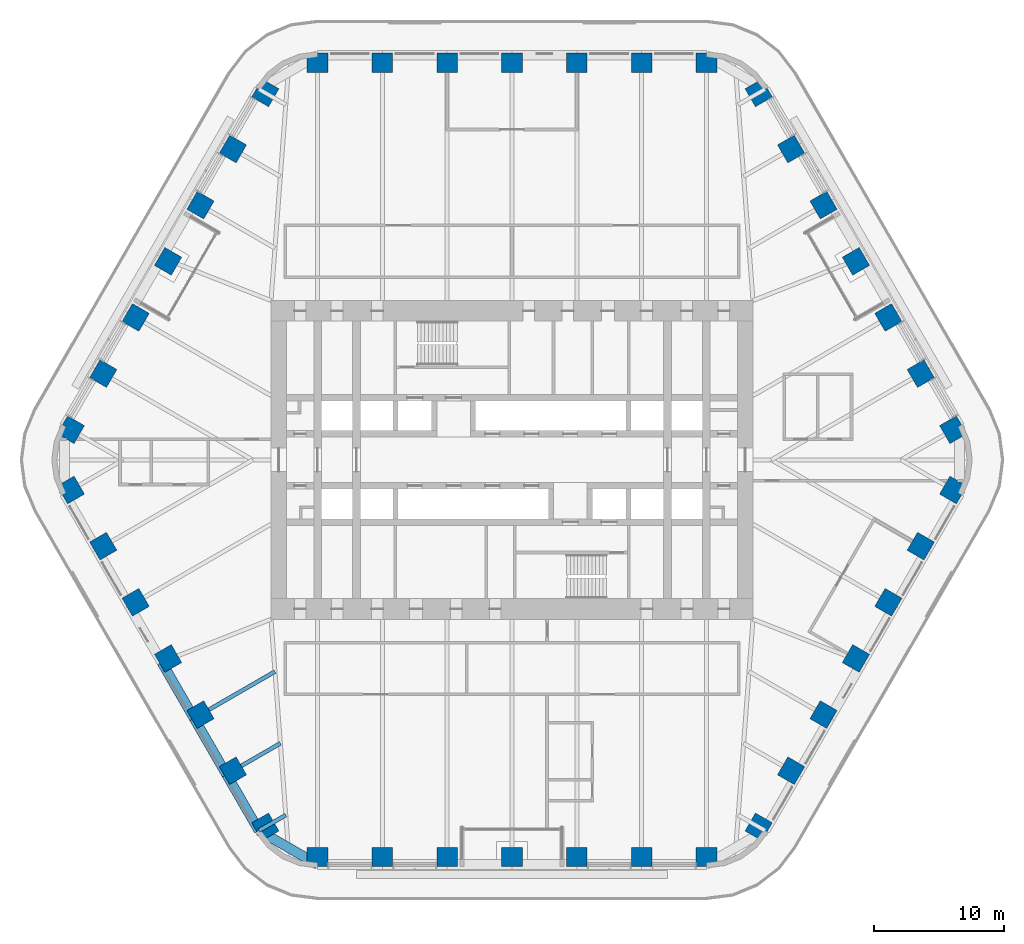
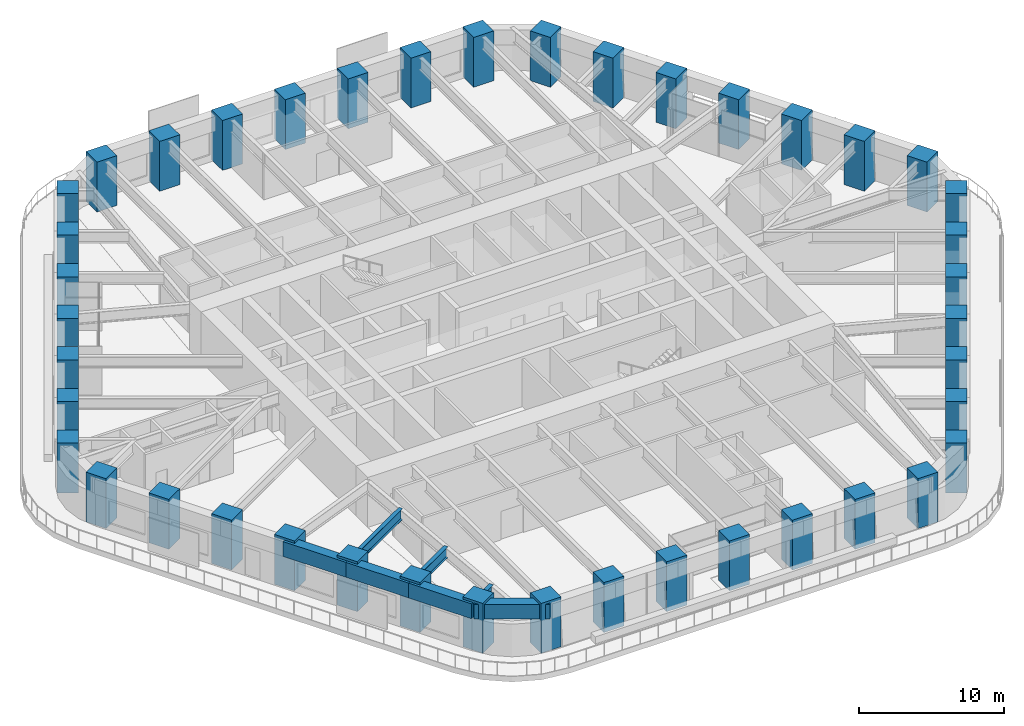
# One storey, part 1 of 24: 42 columns, 7 beams.
"""IFC4 building model written with IfcOpenShell, lengths in metres."""

import ifcopenshell
import ifcopenshell.guid

model = None  # the IFC model being written
_history = None  # IfcOwnerHistory: only IFC2X3 demands one
_inside = {}  # id of a spatial element -> (the spatial element, [elements in it])
_under = {}  # id of a project, library or spatial element -> (it, [spatial elements below it])
_declared = {}  # id of a project -> (the project, [libraries it declares])
_typed = {}  # id of a type object -> (the type object, [elements of that type])
_made_of = {}  # id of a material, layer set ... -> (it, [elements and type objects made of it])


def new_model(schema):
    """Start an empty IFC model of exactly this schema.

    Asked for "IFC4X3", IfcOpenShell would pick the latest addendum, in which some entities
    have other attributes; the version numbers below select the first issue.
    IFC2X3 requires an IfcOwnerHistory on every rooted entity: one is made here for all.
    """
    global model, _history
    if schema == "IFC4X3":
        model = ifcopenshell.file(schema_version=(4, 3, 0, 0))
    else:
        model = ifcopenshell.file(schema=schema)
    _inside.clear()
    _under.clear()
    _declared.clear()
    _typed.clear()
    _made_of.clear()
    _history = None
    if model.schema == "IFC2X3":
        org = make("IfcOrganization", Name="unknown")
        user = make(
            "IfcPersonAndOrganization",
            ThePerson=make("IfcPerson", FamilyName="unknown"),
            TheOrganization=org,
        )
        app = make(
            "IfcApplication",
            ApplicationDeveloper=org,
            Version="unknown",
            ApplicationFullName="unknown",
            ApplicationIdentifier="unknown",
        )
        _history = make(
            "IfcOwnerHistory",
            OwningUser=user,
            OwningApplication=app,
            ChangeAction="ADDED",
            CreationDate=0,
        )
    return model


def make(cls, **values):
    """One entity of the class cls with the attributes given. An attribute that is None is left unset."""
    return model.create_entity(
        cls, **{name: value for name, value in values.items() if value is not None}
    )


def rooted(cls, **values):
    """An entity with a GlobalId (a new one), such as an element, a storey or a relation."""
    return make(cls, GlobalId=ifcopenshell.guid.new(), OwnerHistory=_history, **values)


def si_unit(unit_type, name, prefix=None):
    """IfcSIUnit, for example si_unit("LENGTHUNIT", "METRE", prefix="MILLI")."""
    return make("IfcSIUnit", UnitType=unit_type, Prefix=prefix, Name=name)


def assignment(units):
    """IfcUnitAssignment: the units of a project."""
    return None if units is None else make("IfcUnitAssignment", Units=units)


def point(xyz):
    """IfcCartesianPoint."""
    return None if xyz is None else make("IfcCartesianPoint", Coordinates=xyz)


def direction(xyz):
    """IfcDirection."""
    return None if xyz is None else make("IfcDirection", DirectionRatios=xyz)


def frame(location, z_axis=None, x_axis=None):
    """IfcAxis2Placement3D, a coordinate frame: its origin and axes. An axis left out is left unset."""
    return make(
        "IfcAxis2Placement3D",
        Location=point(location),
        Axis=direction(z_axis),
        RefDirection=direction(x_axis),
    )


def frame_2d(location, x_axis=None):
    """IfcAxis2Placement2D, a coordinate frame in the plane: its origin and x axis."""
    return make(
        "IfcAxis2Placement2D", Location=point(location), RefDirection=direction(x_axis)
    )


def origin():
    """The frame at (0, 0, 0) with its axes left unset."""
    return frame((0.0, 0.0, 0.0))


def origin_2d():
    """The frame at (0, 0) in the plane with its x axis left unset."""
    return frame_2d((0.0, 0.0))


def place(relative_to, where):
    """IfcLocalPlacement: puts the frame where relative to a parent placement (None: the world)."""
    return make(
        "IfcLocalPlacement", PlacementRelTo=relative_to, RelativePlacement=where
    )


def context(
    kind, dimensions, precision=None, world=None, true_north=None, identifier=None
):
    """IfcGeometricRepresentationContext, for example the 3D "Model" context."""
    return make(
        "IfcGeometricRepresentationContext",
        ContextIdentifier=identifier,
        ContextType=kind,
        CoordinateSpaceDimension=dimensions,
        Precision=precision,
        WorldCoordinateSystem=world,
        TrueNorth=true_north,
    )


def subcontext(parent, identifier, kind, view, scale=None):
    """IfcGeometricRepresentationSubContext, for example "Body" below "Model"."""
    return make(
        "IfcGeometricRepresentationSubContext",
        ContextIdentifier=identifier,
        ContextType=kind,
        ParentContext=parent,
        TargetScale=scale,
        TargetView=view,
    )


def project(units=None, contexts=None):
    """IfcProject with its units and contexts."""
    return rooted(
        "IfcProject",
        Name="project",
        RepresentationContexts=contexts,
        UnitsInContext=assignment(units),
    )


def spatial(cls, under=None, at=None, **own):
    """A site, building, storey or space (cls), placed at a placement, below another one or the project."""
    s = rooted(cls, ObjectPlacement=at, **own)
    if under is not None:
        _under.setdefault(under.id(), (under, []))[1].append(s)
    return s


def profile(cls, at=None, kind="AREA", **sizes):
    """A parametric profile (cls). Its sizes go by their IFC names, for example OverallWidth=200.0."""
    return make(cls, ProfileType=kind, Position=at, **sizes)


def rectangle(**sizes):
    """IfcRectangleProfileDef."""
    return profile("IfcRectangleProfileDef", **sizes)


def i_section(**sizes):
    """IfcIShapeProfileDef."""
    return profile("IfcIShapeProfileDef", **sizes)


def extrude(swept, where, along, depth):
    """IfcExtrudedAreaSolid: the profile swept, set in the frame where, extruded along a direction by depth."""
    return make(
        "IfcExtrudedAreaSolid",
        SweptArea=swept,
        Position=where,
        ExtrudedDirection=direction(along),
        Depth=depth,
    )


def shape(context_of_items, identifier, shape_type, items):
    """IfcShapeRepresentation: the items that make up one representation, for example the "Body"."""
    return make(
        "IfcShapeRepresentation",
        ContextOfItems=context_of_items,
        RepresentationIdentifier=identifier,
        RepresentationType=shape_type,
        Items=items,
    )


def material(Name=None, Category=None):
    """IfcMaterial."""
    return make("IfcMaterial", Name=Name, Category=Category)


def material_profile(
    of_material, cross_section, Name=None, Category=None, Priority=None
):
    """IfcMaterialProfile: a cross section and its material."""
    return make(
        "IfcMaterialProfile",
        Name=Name,
        Material=of_material,
        Profile=cross_section,
        Priority=Priority,
        Category=Category,
    )


def profile_set(profiles, Name=None, composite=None):
    """IfcMaterialProfileSet."""
    return make(
        "IfcMaterialProfileSet",
        Name=Name,
        MaterialProfiles=profiles,
        CompositeProfile=composite,
    )


def made_of(thing, what):
    """Note that an element or type object is made of a material, layer set ...; save() writes the relation."""
    if what is not None:
        _made_of.setdefault(what.id(), (what, []))[1].append(thing)
    return thing


def type_object(cls, material=None, **own):
    """A type object (cls), such as IfcWallType, which elements share."""
    return made_of(rooted(cls, **own), material)


def element(
    cls,
    number,
    at=None,
    inside=None,
    cuts=None,
    type_object=None,
    material=None,
    context=None,
    identifier="Body",
    shape_type=None,
    held_by="IfcProductDefinitionShape",
    body=None,
    shapes=None,
    **own,
):
    """One element of the class cls, such as IfcWall. Its Tag is "e" and its number.

    at: its placement. inside: the storey or other place that contains it. cuts: it is an
    opening in that element (IfcRelVoidsElement). A single representation is given by context,
    identifier, shape_type and body (its items); several are given by shapes. held_by: the class
    of the entity that holds the representations. save() writes the other relations.
    """
    e = rooted(cls, Tag="e%d" % number, ObjectPlacement=at, **own)
    if body is not None:
        shapes = [shape(context, identifier, shape_type, body)]
    if shapes is not None:
        e.Representation = make(held_by, Representations=shapes)
    if inside is not None:
        _inside.setdefault(inside.id(), (inside, []))[1].append(e)
    if cuts is not None:
        rooted(
            "IfcRelVoidsElement", RelatingBuildingElement=cuts, RelatedOpeningElement=e
        )
    if type_object is not None:
        _typed.setdefault(type_object.id(), (type_object, []))[1].append(e)
    return made_of(e, material)


def aggregate(whole, parts):
    """IfcRelAggregates: a whole, such as a stair, and the parts it consists of."""
    return rooted("IfcRelAggregates", RelatingObject=whole, RelatedObjects=parts)


def save(model, path):
    """Write the relations noted so far, then the file.

    IfcRelAggregates (storeys below a building ...), IfcRelContainedInSpatialStructure (elements
    in a storey), IfcRelDefinesByType, IfcRelAssociatesMaterial and IfcRelDeclares: one each for
    every whole, place, type object, material and project.
    """
    for whole, parts in _under.values():
        aggregate(whole, parts)
    for where, things in _inside.values():
        rooted(
            "IfcRelContainedInSpatialStructure",
            RelatedElements=things,
            RelatingStructure=where,
        )
    for kind, things in _typed.values():
        rooted("IfcRelDefinesByType", RelatedObjects=things, RelatingType=kind)
    for what, things in _made_of.values():
        rooted("IfcRelAssociatesMaterial", RelatedObjects=things, RelatingMaterial=what)
    for by, libraries in _declared.values():
        rooted("IfcRelDeclares", RelatingContext=by, RelatedDefinitions=libraries)
    model.write(path)


model = new_model("IFC4")

# Units and contexts
model_context = context("Model", 3, precision=1e-05, world=origin(), true_north=direction((0.0, 1.0)))
body_context = subcontext(model_context, "Body", "Model", "MODEL_VIEW")
ifc_project = project(units=[si_unit("LENGTHUNIT", "METRE"), si_unit("AREAUNIT", "SQUARE_METRE"), si_unit("VOLUMEUNIT", "CUBIC_METRE"), si_unit("PLANEANGLEUNIT", "RADIAN"), si_unit("MASSUNIT", "GRAM", prefix="KILO")], contexts=[model_context])

# Site, building, storey
site_placement = place(None, origin())
site = spatial("IfcSite", under=ifc_project, at=site_placement, CompositionType="ELEMENT")
building_placement = place(site_placement, origin())
building = spatial("IfcBuilding", under=site, at=building_placement, Name="Tarfa Lantern Tower", CompositionType="ELEMENT")
storey_placement = place(building_placement, frame((0.0, 0.0, 148.89990234375)))
storey = spatial("IfcBuildingStorey", under=building, at=storey_placement, Name="L33", CompositionType="ELEMENT", Elevation=148.89990234375)

# Columns
ifc_material_1 = material(Name="Concrete C80/95", Category="concrete")
ifc_material_profile_1 = material_profile(ifc_material_1, rectangle(XDim=1.60009765625, YDim=1.5, at=origin_2d()), Name="RC 1600x1500")
ifc_profile_set_1 = profile_set([ifc_material_profile_1], Name="Concrete C80/95")
column_type = type_object("IfcColumnType", Name="TC6 RC 1600x1500", PredefinedType="COLUMN", material=ifc_profile_set_1)
for number, where, z_axis, x_axis, name in (
    (1, (34.04931640625, 2.324951171875, 0.0), (0.0, 0.0, 1.0), (-0.5, 0.866025403784, 0.0), "Tube column NE0"),
    (2, (31.54736328125, 6.658447265625, 0.0), (0.0, 0.0, 1.0), (-0.5, 0.866025403784, 0.0), "Tube column NE1"),
    (3, (29.04541015625, 10.99169921875, 0.0), (0.0, 0.0, 1.0), (-0.5, 0.866025403784, 0.0), "Tube column NE2"),
    (4, (26.543701171875, 15.324951171875, 0.0), (0.0, 0.0, 1.0), (-0.5, 0.866025403784, 0.0), "Tube column NE3"),
    (5, (24.041748046875, 19.658447265625, 0.0), (0.0, 0.0, 1.0), (-0.5, 0.866025403784, 0.0), "Tube column NE4"),
    (6, (21.5400390625, 23.99169921875, 0.0), (0.0, 0.0, 1.0), (-0.5, 0.866025403784, 0.0), "Tube column NE5"),
    (7, (19.0380859375, 28.324951171875, 0.0), (0.0, 0.0, 1.0), (-0.5, 0.866025403784, 0.0), "Tube column NE6"),
    (8, (15.010986328125, 30.64990234375, 0.0), (0.0, 0.0, 1.0), (-1.0, 0.0, 0.0), "Tube column N0"),
    (9, (10.00732421875, 30.64990234375, 0.0), (0.0, 0.0, 1.0), (-1.0, 0.0, 0.0), "Tube column N1"),
    (10, (5.003662109375, 30.64990234375, 0.0), (0.0, 0.0, 1.0), (-1.0, 0.0, 0.0), "Tube column N2"),
    (11, (0.0, 30.64990234375, 0.0), (0.0, 0.0, 1.0), (-1.0, 0.0, 0.0), "Tube column N3"),
    (12, (-5.003662109375, 30.64990234375, 0.0), (0.0, 0.0, 1.0), (-1.0, 0.0, 0.0), "Tube column N4"),
    (13, (-10.00732421875, 30.64990234375, 0.0), (0.0, 0.0, 1.0), (-1.0, 0.0, 0.0), "Tube column N5"),
    (14, (-15.010986328125, 30.64990234375, 0.0), (0.0, 0.0, 1.0), (-1.0, 0.0, 0.0), "Tube column N6"),
    (15, (-19.0380859375, 28.324951171875, 0.0), (0.0, 0.0, 1.0), (-0.5, -0.866025403784, 0.0), "Tube column NW0"),
    (16, (-21.5400390625, 23.99169921875, 0.0), (0.0, 0.0, 1.0), (-0.5, -0.866025403784, 0.0), "Tube column NW1"),
    (17, (-24.041748046875, 19.658447265625, 0.0), (0.0, 0.0, 1.0), (-0.5, -0.866025403784, 0.0), "Tube column NW2"),
    (18, (-26.543701171875, 15.324951171875, 0.0), (0.0, 0.0, 1.0), (-0.5, -0.866025403784, 0.0), "Tube column NW3"),
    (19, (-29.04541015625, 10.99169921875, 0.0), (0.0, 0.0, 1.0), (-0.5, -0.866025403784, 0.0), "Tube column NW4"),
    (20, (-31.54736328125, 6.658447265625, 0.0), (0.0, 0.0, 1.0), (-0.5, -0.866025403784, 0.0), "Tube column NW5"),
    (21, (-34.04931640625, 2.324951171875, 0.0), (0.0, 0.0, 1.0), (-0.5, -0.866025403784, 0.0), "Tube column NW6"),
    (22, (-34.04931640625, -2.324951171875, 0.0), (0.0, 0.0, 1.0), (0.5, -0.866025403784, 0.0), "Tube column SW0"),
    (23, (-31.54736328125, -6.658447265625, 0.0), (0.0, 0.0, 1.0), (0.5, -0.866025403784, 0.0), "Tube column SW1"),
    (24, (-29.04541015625, -10.99169921875, 0.0), (0.0, 0.0, 1.0), (0.5, -0.866025403784, 0.0), "Tube column SW2"),
    (25, (-26.543701171875, -15.324951171875, 0.0), (0.0, 0.0, 1.0), (0.5, -0.866025403784, 0.0), "Tube column SW3"),
    (26, (-24.041748046875, -19.658447265625, 0.0), (0.0, 0.0, 1.0), (0.5, -0.866025403784, 0.0), "Tube column SW4"),
    (27, (-21.5400390625, -23.99169921875, 0.0), (0.0, 0.0, 1.0), (0.5, -0.866025403784, 0.0), "Tube column SW5"),
    (28, (-19.0380859375, -28.324951171875, 0.0), (0.0, 0.0, 1.0), (0.5, -0.866025403784, 0.0), "Tube column SW6"),
    (29, (-15.010986328125, -30.64990234375, 0.0), (0.0, 0.0, 1.0), (1.0, 0.0, 0.0), "Tube column S0"),
    (30, (-10.00732421875, -30.64990234375, 0.0), (0.0, 0.0, 1.0), (1.0, 0.0, 0.0), "Tube column S1"),
    (31, (-5.003662109375, -30.64990234375, 0.0), (0.0, 0.0, 1.0), (1.0, 0.0, 0.0), "Tube column S2"),
    (32, (0.0, -30.64990234375, 0.0), (0.0, 0.0, 1.0), (1.0, 0.0, 0.0), "Tube column S3"),
    (33, (5.003662109375, -30.64990234375, 0.0), (0.0, 0.0, 1.0), (1.0, 0.0, 0.0), "Tube column S4"),
    (34, (10.00732421875, -30.64990234375, 0.0), (0.0, 0.0, 1.0), (1.0, 0.0, 0.0), "Tube column S5"),
    (35, (15.010986328125, -30.64990234375, 0.0), (0.0, 0.0, 1.0), (1.0, 0.0, 0.0), "Tube column S6"),
    (36, (19.0380859375, -28.324951171875, 0.0), (0.0, 0.0, 1.0), (0.5, 0.866025403784, 0.0), "Tube column SE0"),
    (37, (21.5400390625, -23.99169921875, 0.0), (0.0, 0.0, 1.0), (0.5, 0.866025403784, 0.0), "Tube column SE1"),
    (38, (24.041748046875, -19.658447265625, 0.0), (0.0, 0.0, 1.0), (0.5, 0.866025403784, 0.0), "Tube column SE2"),
    (39, (26.543701171875, -15.324951171875, 0.0), (0.0, 0.0, 1.0), (0.5, 0.866025403784, 0.0), "Tube column SE3"),
    (40, (29.04541015625, -10.99169921875, 0.0), (0.0, 0.0, 1.0), (0.5, 0.866025403784, 0.0), "Tube column SE4"),
    (41, (31.54736328125, -6.658447265625, 0.0), (0.0, 0.0, 1.0), (0.5, 0.866025403784, 0.0), "Tube column SE5"),
    (42, (34.04931640625, -2.324951171875, 0.0), (0.0, 0.0, 1.0), (0.5, 0.866025403784, 0.0), "Tube column SE6"),
):
    element("IfcColumn", number, at=place(storey_placement, frame(where, z_axis=z_axis, x_axis=x_axis)), inside=storey, type_object=column_type, Name=name, PredefinedType="COLUMN", context=body_context, shape_type="SweptSolid", body=[
        extrude(rectangle(XDim=1.60009765625, YDim=1.5, at=origin_2d()), origin(), (0.0, 0.0, 1.0), 4.2001953125),
    ])

# Beams
ifc_material_profile_2 = material_profile(ifc_material_1, rectangle(XDim=0.75, YDim=1.25, at=origin_2d()), Name="RC 750x1250")
ifc_profile_set_2 = profile_set([ifc_material_profile_2], Name="Concrete C80/95")
beam_type_1 = type_object("IfcBeamType", Name="EB2 RC 750x1250", PredefinedType="SPANDREL", material=ifc_profile_set_2)
for number, where, z_axis, x_axis, name in (
    (43, (-27.037353515625, -15.610107421875, 3.375), (0.500022324899, -0.866012514114, 0.0), (0.866012514114, 0.500022324899, 0.0), "Edge beam SW3"),
    (44, (-24.535400390625, -19.943359375, 3.375), (0.49998573051, -0.866033642122, 0.0), (0.866033642122, 0.49998573051, 0.0), "Edge beam SW4"),
):
    element("IfcBeam", number, at=place(storey_placement, frame(where, z_axis=z_axis, x_axis=x_axis)), inside=storey, type_object=beam_type_1, Name=name, PredefinedType="SPANDREL", context=body_context, shape_type="SweptSolid", body=[
        extrude(rectangle(XDim=0.75, YDim=1.25, at=origin_2d()), origin(), (0.0, 0.0, 1.0), 5.003662109375),
    ])
beam_1_placement = place(storey_placement, frame((-22.03369140625, -24.276611328125, 3.375), z_axis=(0.500001197378, -0.866024712477, 0.0), x_axis=(0.866024712477, 0.500001197378, 0.0)))
element("IfcBeam", 45, at=beam_1_placement, inside=storey, type_object=beam_type_1, Name="Edge beam SW5", PredefinedType="SPANDREL", context=body_context, shape_type="SweptSolid", body=[
    extrude(rectangle(XDim=0.75, YDim=1.25, at=origin_2d()), origin(), (0.0, 0.0, 1.0), 5.00390625),
])
beam_2_placement = place(storey_placement, frame((-19.53173828125, -28.610107421875, 3.375), z_axis=(0.86604150238, -0.499972115377, 0.0), x_axis=(0.499972115377, 0.86604150238, 0.0)))
element("IfcBeam", 46, at=beam_2_placement, inside=storey, type_object=beam_type_1, Name="Edge beam SW6", PredefinedType="SPANDREL", context=body_context, shape_type="SweptSolid", body=[
    extrude(rectangle(XDim=0.75, YDim=1.25, at=origin_2d()), origin(), (0.0, 0.0, 1.0), 5.219970703125),
])
ifc_material_2 = material(Name="Steel S460M", Category="steel")
ifc_material_profile_3 = material_profile(ifc_material_2, i_section(OverallWidth=0.305419921875, OverallDepth=0.91845703125, WebThickness=0.017333984375, FlangeThickness=0.02783203125, FilletRadius=0.01904296875, at=origin_2d()), Name="UB914x305x253")
ifc_profile_set_3 = profile_set([ifc_material_profile_3], Name="Steel S460M")
beam_type_2 = type_object("IfcBeamType", Name="UB914x305x253", PredefinedType="BEAM", material=ifc_profile_set_3)
beam_3_placement = place(storey_placement, frame((-24.535400390625, -19.943359375, 3.541015625), z_axis=(0.86602647304, 0.499998147991, 0.0), x_axis=(-0.499998147991, 0.86602647304, 0.0)))
element("IfcBeam", 47, at=beam_3_placement, inside=storey, type_object=beam_type_2, Name="Floor beam SW4", PredefinedType="BEAM", context=body_context, shape_type="SweptSolid", body=[
    extrude(i_section(OverallWidth=0.305419921875, OverallDepth=0.91845703125, WebThickness=0.017333984375, FlangeThickness=0.02783203125, FilletRadius=0.01904296875, at=origin_2d()), origin(), (0.0, 0.0, 1.0), 7.20556640625),
])
beam_4_placement = place(storey_placement, frame((-22.03369140625, -24.276611328125, 3.541015625), z_axis=(0.866030550462, 0.499991085587, 0.0), x_axis=(-0.499991085587, 0.866030550462, 0.0)))
element("IfcBeam", 48, at=beam_4_placement, inside=storey, type_object=beam_type_2, Name="Floor beam SW5", PredefinedType="BEAM", context=body_context, shape_type="SweptSolid", body=[
    extrude(i_section(OverallWidth=0.305419921875, OverallDepth=0.91845703125, WebThickness=0.017333984375, FlangeThickness=0.02783203125, FilletRadius=0.01904296875, at=origin_2d()), origin(), (0.0, 0.0, 1.0), 4.798828125),
])
beam_5_placement = place(storey_placement, frame((-19.53173828125, -28.610107421875, 3.541015625), z_axis=(0.865998640954, 0.500046351717, 0.0), x_axis=(-0.500046351717, 0.865998640954, 0.0)))
element("IfcBeam", 49, at=beam_5_placement, inside=storey, type_object=beam_type_2, Name="Floor beam SW6", PredefinedType="BEAM", context=body_context, shape_type="SweptSolid", body=[
    extrude(i_section(OverallWidth=0.305419921875, OverallDepth=0.91845703125, WebThickness=0.017333984375, FlangeThickness=0.02783203125, FilletRadius=0.01904296875, at=origin_2d()), origin(), (0.0, 0.0, 1.0), 2.392333984375),
])

save(model, "model.ifc")
